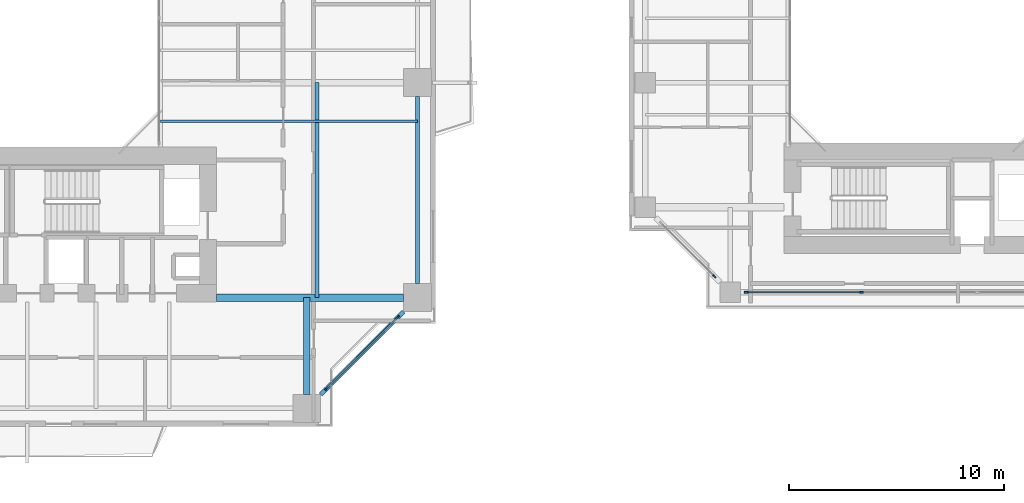
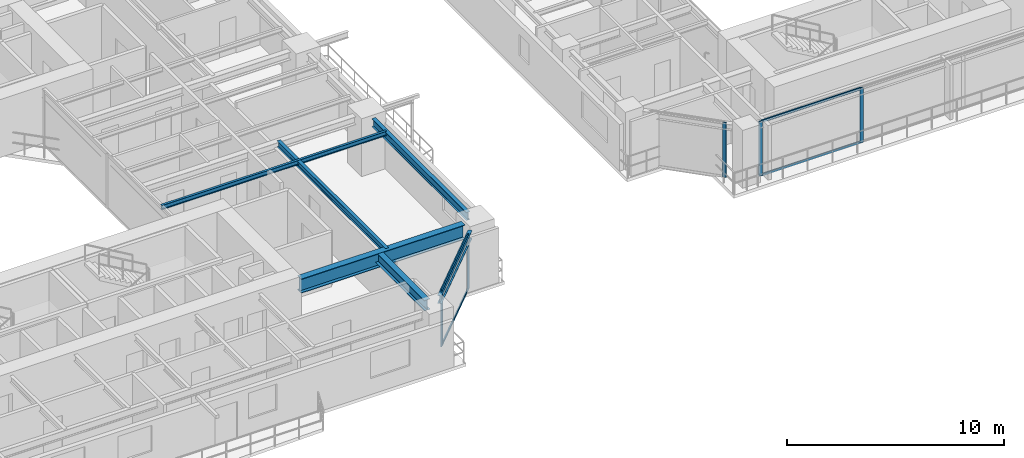
# One storey, part 5 of 23: 9 members, 6 beams, 3 elements without a shape of their own.
"""IFC4 building model written with IfcOpenShell, lengths in metres."""

from ifc_helpers import new_model, si_unit, direction, frame, origin, origin_2d, place, context, subcontext, project, spatial, rectangle, i_section, extrude, source, transform, mapped, material, layer, layer_set, material_profile, profile_set, type_object, element, aggregate, save


model = new_model("IFC4")

# Units and contexts
model_context = context("Model", 3, precision=1e-05, world=origin(), true_north=direction((0.0, 1.0)))
body_context = subcontext(model_context, "Body", "Model", "MODEL_VIEW")
ifc_project = project(units=[si_unit("LENGTHUNIT", "METRE"), si_unit("AREAUNIT", "SQUARE_METRE"), si_unit("VOLUMEUNIT", "CUBIC_METRE"), si_unit("PLANEANGLEUNIT", "RADIAN"), si_unit("MASSUNIT", "GRAM", prefix="KILO"), si_unit("THERMODYNAMICTEMPERATUREUNIT", "KELVIN"), si_unit("POWERUNIT", "WATT")], contexts=[model_context])

# Site, building, storey
site_placement = place(None, origin())
site = spatial("IfcSite", under=ifc_project, at=site_placement, CompositionType="ELEMENT")
building_placement = place(site_placement, origin())
building = spatial("IfcBuilding", under=site, at=building_placement, Name="Qiaomeng Ring Towers", CompositionType="ELEMENT")
storey_placement = place(building_placement, frame((0.0, 0.0, 26.25)))
storey = spatial("IfcBuildingStorey", under=building, at=storey_placement, Name="L06", CompositionType="ELEMENT", Elevation=26.25)

# Beams
ifc_material_1 = material(Name="Steel Q355B", Category="steel")
ifc_material_profile_1 = material_profile(ifc_material_1, i_section(OverallWidth=0.199951171875, OverallDepth=0.449951171875, WebThickness=0.009033203125, FlangeThickness=0.013916015625, FilletRadius=0.01806640625, at=origin_2d()), Name="HN 450x200x9x14")
ifc_profile_set_1 = profile_set([ifc_material_profile_1], Name="Steel Q355B")
beam_type_1 = type_object("IfcBeamType", Name="STR-BM-HN450", PredefinedType="SPANDREL", material=ifc_profile_set_1)
shared_shape_1 = source(origin(), body_context, "Body", "SweptSolid", [
    extrude(i_section(OverallWidth=0.199951171875, OverallDepth=0.449951171875, WebThickness=0.009033203125, FlangeThickness=0.013916015625, FilletRadius=0.01806640625, at=origin_2d()), origin(), (0.0, 0.0, 1.0), 5.446533203125),
])
beam_1_placement = place(storey_placement, frame((32.6494140625, 5.499267578125, 2.844970703125), z_axis=(0.707106781187, 0.707106781187, 0.0), x_axis=(-0.707106781187, 0.707106781187, 0.0)))
element("IfcBeam", 1, at=beam_1_placement, inside=storey, type_object=beam_type_1, Name="L06 beam STR-SP-L06-T1-S2-E1", PredefinedType="SPANDREL", context=body_context, shape_type="MappedRepresentation", body=[
    mapped(shared_shape_1, transform((0.0, 0.0, 0.0), x_axis=(1.0, 0.0, 0.0), y_axis=(0.0, 1.0, 0.0), z_axis=(0.0, 0.0, 1.0), scale=1.0)),
])
shared_shape_2 = source(origin(), body_context, "Body", "SweptSolid", [
    extrude(i_section(OverallWidth=0.199951171875, OverallDepth=0.449951171875, WebThickness=0.009033203125, FlangeThickness=0.013916015625, FilletRadius=0.01806640625, at=origin_2d()), origin(), (0.0, 0.0, 1.0), 8.7021484375),
])
beam_2_placement = place(storey_placement, frame((37.14990234375, 10.64892578125, 2.844970703125), z_axis=(0.0, 1.0, 0.0), x_axis=(-1.0, 0.0, 0.0)))
element("IfcBeam", 2, at=beam_2_placement, inside=storey, type_object=beam_type_1, Name="L06 beam STR-SP-L06-T1-E1-E2", PredefinedType="SPANDREL", context=body_context, shape_type="MappedRepresentation", body=[
    mapped(shared_shape_2, transform((0.0, 0.0, 0.0), x_axis=(1.0, 0.0, 0.0), y_axis=(0.0, 1.0, 0.0), z_axis=(0.0, 0.0, 1.0), scale=1.0)),
])
ifc_material_2 = material(Name="Steel Q390GJC", Category="steel")
ifc_material_profile_2 = material_profile(ifc_material_2, i_section(OverallWidth=0.35009765625, OverallDepth=0.800048828125, WebThickness=0.01611328125, FlangeThickness=0.028076171875, at=origin_2d()), Name="WH 800x350x16x28")
ifc_profile_set_2 = profile_set([ifc_material_profile_2], Name="Steel Q390GJC")
beam_type_2 = type_object("IfcBeamType", Name="STR-BM-WH800", PredefinedType="BEAM", material=ifc_profile_set_2)
shared_shape_3 = source(origin(), body_context, "Body", "SweptSolid", [
    extrude(i_section(OverallWidth=0.35009765625, OverallDepth=0.800048828125, WebThickness=0.01611328125, FlangeThickness=0.028076171875, at=origin_2d()), origin(), (0.0, 0.0, 1.0), 8.700927734375),
])
beam_3_placement = place(storey_placement, frame((27.800048828125, 10.0, 2.669921875), z_axis=(1.0, 0.0, 0.0), x_axis=(0.0, 1.0, 0.0)))
element("IfcBeam", 3, at=beam_3_placement, inside=storey, type_object=beam_type_2, Name="L06 beam STR-BM-L06-T1-RAD-E1", PredefinedType="BEAM", context=body_context, shape_type="MappedRepresentation", body=[
    mapped(shared_shape_3, transform((0.0, 0.0, 0.0), x_axis=(1.0, 0.0, 0.0), y_axis=(0.0, 1.0, 0.0), z_axis=(0.0, 0.0, 1.0), scale=1.0)),
])
ifc_material_profile_3 = material_profile(ifc_material_1, i_section(OverallWidth=0.300048828125, OverallDepth=0.587890625, WebThickness=0.011962890625, FlangeThickness=0.02001953125, FilletRadius=0.028076171875, at=origin_2d()), Name="HM 588x300x12x20")
ifc_profile_set_3 = profile_set([ifc_material_profile_3], Name="Steel Q355B")
beam_type_3 = type_object("IfcBeamType", Name="STR-BM-HM588", PredefinedType="BEAM", material=ifc_profile_set_3)
shared_shape_4 = source(origin(), body_context, "Body", "SweptSolid", [
    extrude(i_section(OverallWidth=0.300048828125, OverallDepth=0.587890625, WebThickness=0.011962890625, FlangeThickness=0.02001953125, FilletRadius=0.028076171875, at=origin_2d()), origin(), (0.0, 0.0, 1.0), 4.5009765625),
])
beam_4_placement = place(storey_placement, frame((32.0, 5.4990234375, 2.77587890625), z_axis=(0.0, 1.0, 0.0), x_axis=(-1.0, 0.0, 0.0)))
element("IfcBeam", 4, at=beam_4_placement, inside=storey, type_object=beam_type_3, Name="L06 beam STR-BM-L06-T1-RAD-S2", PredefinedType="BEAM", context=body_context, shape_type="MappedRepresentation", body=[
    mapped(shared_shape_4, transform((0.0, 0.0, 0.0), x_axis=(1.0, 0.0, 0.0), y_axis=(0.0, 1.0, 0.0), z_axis=(0.0, 0.0, 1.0), scale=1.0)),
])
ifc_material_profile_4 = material_profile(ifc_material_1, i_section(OverallWidth=0.125, OverallDepth=0.25, WebThickness=0.006103515625, FlangeThickness=0.009033203125, FilletRadius=0.011962890625, at=origin_2d()), Name="HN 250x125x6x9")
ifc_profile_set_4 = profile_set([ifc_material_profile_4], Name="Steel Q355B")
beam_type_4 = type_object("IfcBeamType", Name="STR-BM-HN250", PredefinedType="JOIST", material=ifc_profile_set_4)
shared_shape_5 = source(origin(), body_context, "Body", "SweptSolid", [
    extrude(i_section(OverallWidth=0.125, OverallDepth=0.25, WebThickness=0.006103515625, FlangeThickness=0.009033203125, FilletRadius=0.011962890625, at=origin_2d()), origin(), (0.0, 0.0, 1.0), 11.949951171875),
])
beam_5_placement = place(storey_placement, frame((25.199951171875, 18.199951171875, 2.945068359375), z_axis=(1.0, 0.0, 0.0), x_axis=(0.0, 1.0, 0.0)))
element("IfcBeam", 5, at=beam_5_placement, inside=storey, type_object=beam_type_4, Name="L06 beam STR-JST-L06-T1E-1", PredefinedType="JOIST", context=body_context, shape_type="MappedRepresentation", body=[
    mapped(shared_shape_5, transform((0.0, 0.0, 0.0), x_axis=(1.0, 0.0, 0.0), y_axis=(0.0, 1.0, 0.0), z_axis=(0.0, 0.0, 1.0), scale=1.0)),
])
ifc_material_profile_5 = material_profile(ifc_material_1, i_section(OverallWidth=0.175048828125, OverallDepth=0.35009765625, WebThickness=0.007080078125, FlangeThickness=0.010986328125, FilletRadius=0.013916015625, at=origin_2d()), Name="HN 350x175x7x11")
ifc_profile_set_5 = profile_set([ifc_material_profile_5], Name="Steel Q355B")
beam_type_5 = type_object("IfcBeamType", Name="STR-BM-HN350", PredefinedType="JOIST", material=ifc_profile_set_5)
shared_shape_6 = source(origin(), body_context, "Body", "SweptSolid", [
    extrude(i_section(OverallWidth=0.175048828125, OverallDepth=0.35009765625, WebThickness=0.007080078125, FlangeThickness=0.010986328125, FilletRadius=0.013916015625, at=origin_2d()), origin(), (0.0, 0.0, 1.0), 10.0),
])
beam_6_placement = place(storey_placement, frame((32.47509765625, 10.0, 2.89501953125), z_axis=(0.0, 1.0, 0.0), x_axis=(-1.0, 0.0, 0.0)))
element("IfcBeam", 6, at=beam_6_placement, inside=storey, type_object=beam_type_5, Name="L06 beam STR-JST-L06-T1C-ES", PredefinedType="JOIST", context=body_context, shape_type="MappedRepresentation", body=[
    mapped(shared_shape_6, transform((0.0, 0.0, 0.0), x_axis=(1.0, 0.0, 0.0), y_axis=(0.0, 1.0, 0.0), z_axis=(0.0, 0.0, 1.0), scale=1.0)),
])

# Curtain wall, members
ifc_material_3 = material(Name="Fluorocarbon dark-grey aluminium", Category="aluminium")
ifc_layer_1 = layer(ifc_material_3, 0.159912109375, Name="Fluorocarbon dark-grey aluminium")
ifc_layer_set_1 = layer_set([ifc_layer_1], Name="Fluorocarbon dark-grey aluminium")
curtain_wall_type_1 = type_object("IfcCurtainWallType", Name="ARC-CW-2", PredefinedType="NOTDEFINED", material=ifc_layer_set_1)
curtain_wall_1_placement = place(storey_placement, origin())
curtain_wall_1 = element("IfcCurtainWall", 7, at=curtain_wall_1_placement, inside=storey, type_object=curtain_wall_type_1, Name="L06 Curtain Wall CW2", PredefinedType="NOTDEFINED")
ifc_material_profile_6 = material_profile(ifc_material_3, rectangle(XDim=0.070068359375, YDim=0.179931640625, at=origin_2d()), Name="ALU MULL 70x180")
ifc_profile_set_6 = profile_set([ifc_material_profile_6], Name="Fluorocarbon dark-grey aluminium")
member_type_1 = type_object("IfcMemberType", Name="ARC-CWM-160", PredefinedType="MULLION", material=ifc_profile_set_6)
shared_shape_7 = source(origin(), body_context, "Body", "SweptSolid", [
    extrude(rectangle(XDim=0.070068359375, YDim=0.179931640625, at=origin_2d()), origin(), (0.0, 0.0, 1.0), 3.070068359375),
])
member_1_placement = place(storey_placement, frame((32.914794921875, 5.7646484375, 0.0), z_axis=(0.0, 0.0, 1.0), x_axis=(-0.707106781187, 0.707106781187, 0.0)))
member_1 = element("IfcMember", 8, at=member_1_placement, type_object=member_type_1, Name="CW2 mullion 1", PredefinedType="MULLION", context=body_context, shape_type="MappedRepresentation", body=[
    mapped(shared_shape_7, transform((0.0, 0.0, 0.0), x_axis=(1.0, 0.0, 0.0), y_axis=(0.0, 1.0, 0.0), z_axis=(0.0, 0.0, 1.0), scale=1.0)),
])
member_2_placement = place(storey_placement, frame((36.2353515625, 9.085205078125, 0.0), z_axis=(0.0, 0.0, 1.0), x_axis=(-0.707106781187, 0.707106781187, 0.0)))
member_2 = element("IfcMember", 9, at=member_2_placement, type_object=member_type_1, Name="CW2 mullion 2", PredefinedType="MULLION", context=body_context, shape_type="MappedRepresentation", body=[
    mapped(shared_shape_7, transform((0.0, 0.0, 0.0), x_axis=(1.0, 0.0, 0.0), y_axis=(0.0, 1.0, 0.0), z_axis=(0.0, 0.0, 1.0), scale=1.0)),
])

# Curtain wall, member
ifc_layer_2 = layer(ifc_material_3, 0.14990234375, Name="Fluorocarbon dark-grey aluminium")
ifc_layer_set_2 = layer_set([ifc_layer_2], Name="Fluorocarbon dark-grey aluminium")
curtain_wall_type_2 = type_object("IfcCurtainWallType", Name="ARC-CW-5", PredefinedType="NOTDEFINED", material=ifc_layer_set_2)
curtain_wall_2_placement = place(storey_placement, origin())
curtain_wall_2 = element("IfcCurtainWall", 10, at=curtain_wall_2_placement, inside=storey, type_object=curtain_wall_type_2, Name="L06 Curtain Wall CW5", PredefinedType="NOTDEFINED")
member_3_placement = place(storey_placement, frame((50.960205078125, 10.98974609375, 0.0), z_axis=(0.0, 0.0, 1.0), x_axis=(0.707106781187, 0.707106781187, 0.0)))
member_3 = element("IfcMember", 11, at=member_3_placement, type_object=member_type_1, Name="CW5 mullion 2", PredefinedType="MULLION", context=body_context, shape_type="MappedRepresentation", body=[
    mapped(shared_shape_7, transform((0.0, 0.0, 0.0), x_axis=(1.0, 0.0, 0.0), y_axis=(0.0, 1.0, 0.0), z_axis=(0.0, 0.0, 1.0), scale=1.0)),
])
aggregate(curtain_wall_2, [member_3])

# Curtain wall, members
curtain_wall_3_placement = place(storey_placement, origin())
curtain_wall_3 = element("IfcCurtainWall", 12, at=curtain_wall_3_placement, inside=storey, type_object=curtain_wall_type_2, Name="L06 Curtain Wall CW5", PredefinedType="NOTDEFINED")
member_4_placement = place(storey_placement, frame((52.449951171875, 10.25, 0.0), z_axis=(0.0, 0.0, 1.0), x_axis=(0.0, 1.0, 0.0)))
member_4 = element("IfcMember", 13, at=member_4_placement, type_object=member_type_1, Name="CW5 mullion 1", PredefinedType="MULLION", context=body_context, shape_type="MappedRepresentation", body=[
    mapped(shared_shape_7, transform((0.0, 0.0, 0.0), x_axis=(1.0, 0.0, 0.0), y_axis=(0.0, 1.0, 0.0), z_axis=(0.0, 0.0, 1.0), scale=1.0)),
])
member_5_placement = place(storey_placement, frame((57.804931640625, 10.25, 0.0), z_axis=(0.0, 0.0, 1.0), x_axis=(0.0, 1.0, 0.0)))
member_5 = element("IfcMember", 14, at=member_5_placement, type_object=member_type_1, Name="CW5 mullion 2", PredefinedType="MULLION", context=body_context, shape_type="MappedRepresentation", body=[
    mapped(shared_shape_7, transform((0.0, 0.0, 0.0), x_axis=(1.0, 0.0, 0.0), y_axis=(0.0, 1.0, 0.0), z_axis=(0.0, 0.0, 1.0), scale=1.0)),
])

# Member
ifc_material_profile_7 = material_profile(ifc_material_3, rectangle(XDim=0.06494140625, YDim=0.1298828125, at=origin_2d()), Name="ALU TRAN 65x130")
ifc_profile_set_7 = profile_set([ifc_material_profile_7], Name="Fluorocarbon dark-grey aluminium")
member_type_2 = type_object("IfcMemberType", Name="ARC-CWT-120", PredefinedType="USERDEFINED", material=ifc_profile_set_7)
shared_shape_8 = source(origin(), body_context, "Body", "SweptSolid", [
    extrude(rectangle(XDim=0.06494140625, YDim=0.1298828125, at=origin_2d()), origin(), (0.0, 0.0, 1.0), 4.6259765625),
])
member_6_placement = place(storey_placement, frame((32.939453125, 5.78955078125, 0.032470703125), z_axis=(0.707106781187, 0.707106781187, 0.0), x_axis=(-0.707106781187, 0.707106781187, 0.0)))
member_6 = element("IfcMember", 15, at=member_6_placement, type_object=member_type_2, Name="CW2 transom 1.1", ObjectType="TRANSOM", PredefinedType="USERDEFINED", context=body_context, shape_type="MappedRepresentation", body=[
    mapped(shared_shape_8, transform((0.0, 0.0, 0.0), x_axis=(1.0, 0.0, 0.0), y_axis=(0.0, 1.0, 0.0), z_axis=(0.0, 0.0, 1.0), scale=1.0)),
])

member_7_placement = place(storey_placement, frame((32.939453125, 5.78955078125, 3.03759765625), z_axis=(0.707106781187, 0.707106781187, 0.0), x_axis=(-0.707106781187, 0.707106781187, 0.0)))
member_7 = element("IfcMember", 16, at=member_7_placement, type_object=member_type_2, Name="CW2 transom 1.2", ObjectType="TRANSOM", PredefinedType="USERDEFINED", context=body_context, shape_type="MappedRepresentation", body=[
    mapped(shared_shape_8, transform((0.0, 0.0, 0.0), x_axis=(1.0, 0.0, 0.0), y_axis=(0.0, 1.0, 0.0), z_axis=(0.0, 0.0, 1.0), scale=1.0)),
])

aggregate(curtain_wall_1, [member_1, member_2, member_6, member_7])

shared_shape_9 = source(origin(), body_context, "Body", "SweptSolid", [
    extrude(rectangle(XDim=0.06494140625, YDim=0.1298828125, at=origin_2d()), origin(), (0.0, 0.0, 1.0), 5.284912109375),
])
member_8_placement = place(storey_placement, frame((52.485107421875, 10.25, 0.032470703125), z_axis=(1.0, 0.0, 0.0), x_axis=(0.0, 1.0, 0.0)))
member_8 = element("IfcMember", 17, at=member_8_placement, type_object=member_type_2, Name="CW5 transom 1.1", ObjectType="TRANSOM", PredefinedType="USERDEFINED", context=body_context, shape_type="MappedRepresentation", body=[
    mapped(shared_shape_9, transform((0.0, 0.0, 0.0), x_axis=(1.0, 0.0, 0.0), y_axis=(0.0, 1.0, 0.0), z_axis=(0.0, 0.0, 1.0), scale=1.0)),
])

member_9_placement = place(storey_placement, frame((52.485107421875, 10.25, 3.03759765625), z_axis=(1.0, 0.0, 0.0), x_axis=(0.0, 1.0, 0.0)))
member_9 = element("IfcMember", 18, at=member_9_placement, type_object=member_type_2, Name="CW5 transom 1.2", ObjectType="TRANSOM", PredefinedType="USERDEFINED", context=body_context, shape_type="MappedRepresentation", body=[
    mapped(shared_shape_9, transform((0.0, 0.0, 0.0), x_axis=(1.0, 0.0, 0.0), y_axis=(0.0, 1.0, 0.0), z_axis=(0.0, 0.0, 1.0), scale=1.0)),
])

aggregate(curtain_wall_3, [member_4, member_5, member_8, member_9])

save(model, "model.ifc")
